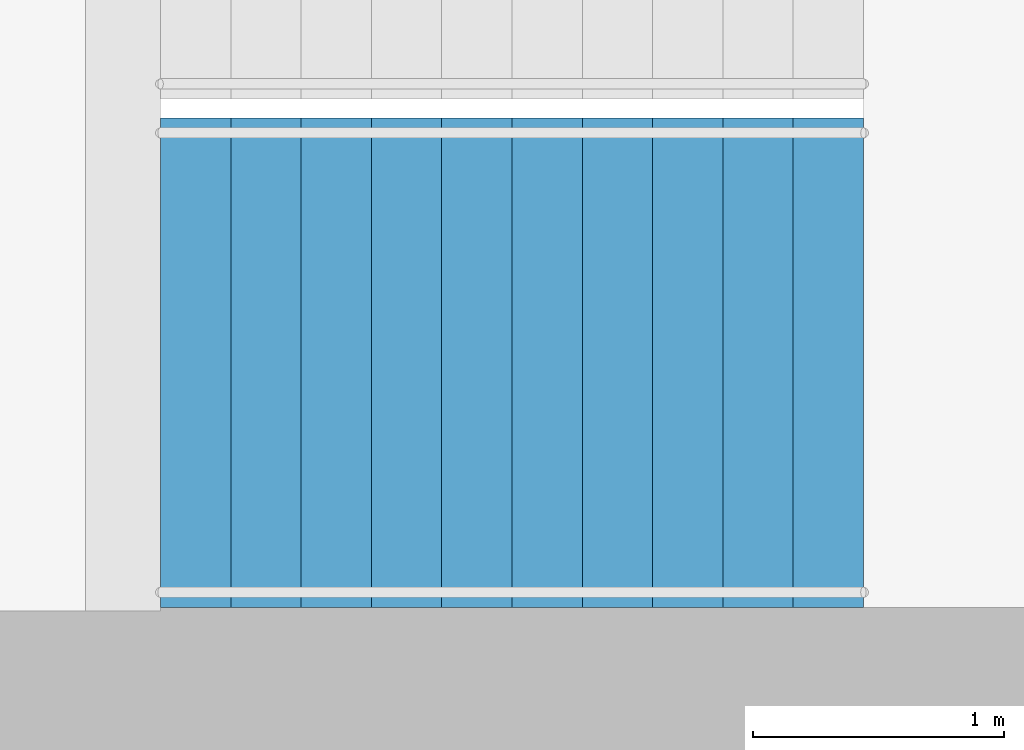
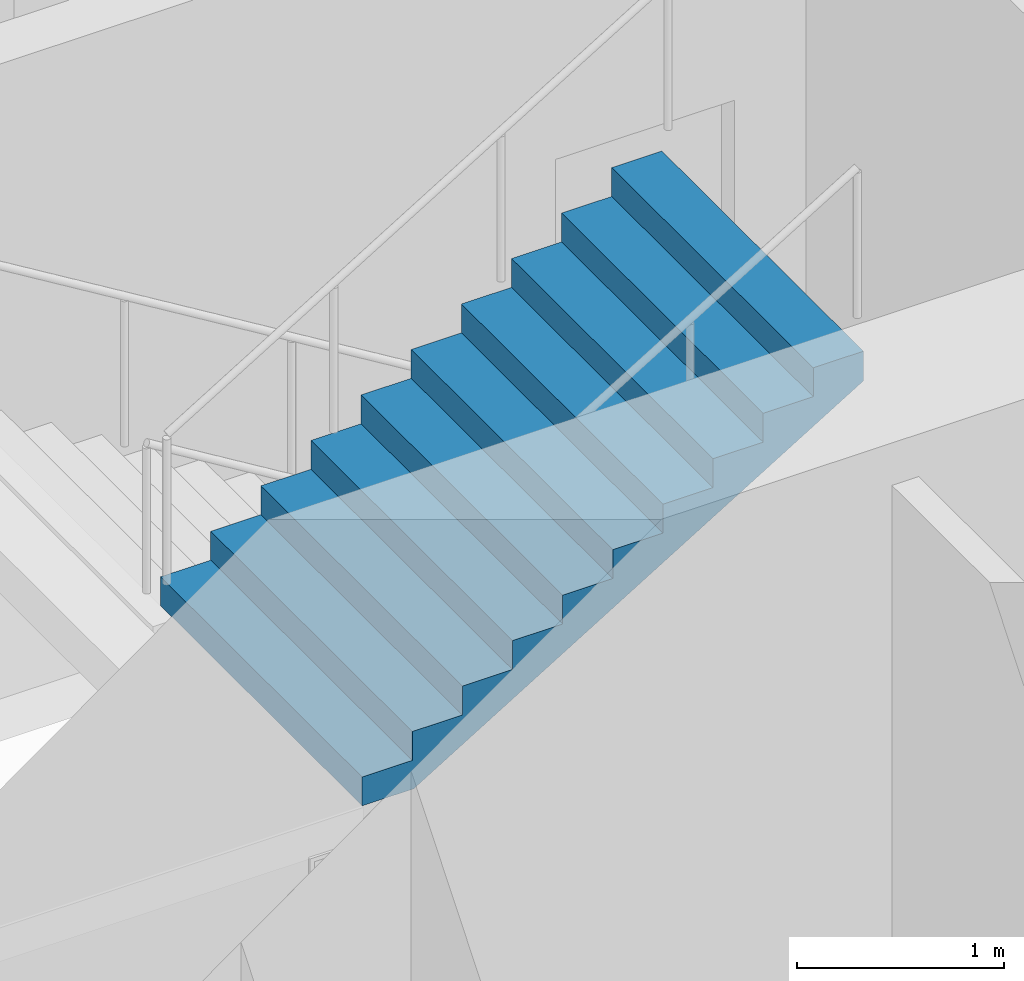
# One storey, part 19 of 21: 1 stair flight, 1 element without a shape of its own.
"""IFC4 building model written with IfcOpenShell, lengths in metres."""

from ifc_helpers import new_model, si_unit, direction, frame, origin, place, context, subcontext, project, spatial, triangles, material, type_object, element, aggregate, save


model = new_model("IFC4")

# Units and contexts
model_context = context("Model", 3, precision=1e-05, world=origin(), true_north=direction((0.0, 1.0)))
body_context = subcontext(model_context, "Body", "Model", "MODEL_VIEW")
ifc_project = project(units=[si_unit("LENGTHUNIT", "METRE"), si_unit("AREAUNIT", "SQUARE_METRE"), si_unit("VOLUMEUNIT", "CUBIC_METRE"), si_unit("PLANEANGLEUNIT", "RADIAN"), si_unit("MASSUNIT", "GRAM", prefix="KILO")], contexts=[model_context])

# Site, building, storey
site_placement = place(None, origin())
site = spatial("IfcSite", under=ifc_project, at=site_placement, CompositionType="ELEMENT")
building_placement = place(site_placement, origin())
building = spatial("IfcBuilding", under=site, at=building_placement, Name="Orbita Commons", CompositionType="ELEMENT")
storey_placement = place(building_placement, frame((0.0, 0.0, 91.89990234375)))
storey = spatial("IfcBuildingStorey", under=building, at=storey_placement, Name="L22", CompositionType="ELEMENT", Elevation=91.89990234375)

# Stair, stair flight
ifc_material_1 = material(Name="Precast concrete C40/50", Category="concrete")
stair_type = type_object("IfcStairType", Name="Exit stair S2 2 flights 11 risers 170", PredefinedType="HALF_TURN_STAIR", material=ifc_material_1)
stair_placement = place(storey_placement, origin())
stair = element("IfcStair", 1, at=stair_placement, inside=storey, type_object=stair_type, Name="Exit stair S2 L22", PredefinedType="HALF_TURN_STAIR")
ifc_material_2 = material(Name="Precast concrete C40/50", Category="concrete")
stair_flight_type = type_object("IfcStairFlightType", Name="Stair flight 11 risers 170 x 280", PredefinedType="STRAIGHT", material=ifc_material_2)
stair_flight_placement = place(storey_placement, frame((60.75, 27.25, 1.875), z_axis=(0.0, 0.0, 1.0), x_axis=(1.0, 0.0, 0.0)))
stair_flight = element("IfcStairFlight", 2, at=stair_flight_placement, type_object=stair_flight_type, Name="S2 flight 2", NumberOfRisers=11, NumberOfTreads=10, PredefinedType="STRAIGHT", RiserHeight=0.170454545, TreadLength=0.28, context=body_context, shape_type="Tessellation", body=[
    triangles([(0.0, 0.974976, 0.0), (0.0, 0.974976, 0.021307), (0.0, 0.81248, 0.021307), (0.0, 0.81248, 0.0), (0.0, 0.649984, 0.021307), (0.0, 0.649984, 0.0), (0.0, 0.487488, 0.021307), (0.0, 0.487488, 0.0), (0.0, 0.324992, 0.021307), (0.0, 0.324992, 0.0), (0.0, 0.162496, 0.021307), (0.0, 0.162496, 0.0), (0.0, 0.0, 0.021307), (0.0, 0.0, 0.0), (0.0, -0.162496, 0.021307), (0.0, -0.162496, 0.0), (0.0, -0.324992, 0.021307), (0.0, -0.324992, 0.0), (0.0, -0.487488, 0.021307), (0.0, -0.487488, 0.0), (0.0, -0.649984, 0.021307), (0.0, -0.649984, 0.0), (0.0, -0.81248, 0.021307), (0.0, -0.81248, 0.0), (0.0, -0.974976, 0.021307), (0.0, -0.974976, 0.0), (0.0, 0.974976, 0.042614), (0.0, 0.81248, 0.042614), (0.0, 0.649984, 0.042614), (0.0, 0.487488, 0.042614), (0.0, 0.324992, 0.042614), (0.0, 0.162496, 0.042614), (0.0, 0.0, 0.042614), (0.0, -0.162496, 0.042614), (0.0, -0.324992, 0.042614), (0.0, -0.487488, 0.042614), (0.0, -0.649984, 0.042614), (0.0, -0.81248, 0.042614), (0.0, -0.974976, 0.042614), (0.0, 0.974976, 0.06392), (0.0, 0.81248, 0.06392), (0.0, 0.649984, 0.06392), (0.0, 0.487488, 0.06392), (0.0, 0.324992, 0.06392), (0.0, 0.162496, 0.06392), (0.0, 0.0, 0.06392), (0.0, -0.162496, 0.06392), (0.0, -0.324992, 0.06392), (0.0, -0.487488, 0.06392), (0.0, -0.649984, 0.06392), (0.0, -0.81248, 0.06392), (0.0, -0.974976, 0.06392), (0.0, 0.974976, 0.085227), (0.0, 0.81248, 0.085227), (0.0, 0.649984, 0.085227), (0.0, 0.487488, 0.085227), (0.0, 0.324992, 0.085227), (0.0, 0.162496, 0.085227), (0.0, 0.0, 0.085227), (0.0, -0.162496, 0.085227), (0.0, -0.324992, 0.085227), (0.0, -0.487488, 0.085227), (0.0, -0.649984, 0.085227), (0.0, -0.81248, 0.085227), (0.0, -0.974976, 0.085227), (0.0, 0.974976, 0.106534), (0.0, 0.81248, 0.106534), (0.0, 0.649984, 0.106534), (0.0, 0.487488, 0.106534), (0.0, 0.324992, 0.106534), (0.0, 0.162496, 0.106534), (0.0, 0.0, 0.106534), (0.0, -0.162496, 0.106534), (0.0, -0.324992, 0.106534), (0.0, -0.487488, 0.106534), (0.0, -0.649984, 0.106534), (0.0, -0.81248, 0.106534), (0.0, -0.974976, 0.106534), (0.0, 0.974976, 0.127841), (0.0, 0.81248, 0.127841), (0.0, 0.649984, 0.127841), (0.0, 0.487488, 0.127841), (0.0, 0.324992, 0.127841), (0.0, 0.162496, 0.127841), (0.0, 0.0, 0.127841), (0.0, -0.162496, 0.127841), (0.0, -0.324992, 0.127841), (0.0, -0.487488, 0.127841), (0.0, -0.649984, 0.127841), (0.0, -0.81248, 0.127841), (0.0, -0.974976, 0.127841), (0.0, 0.974976, 0.149148), (0.0, 0.81248, 0.149148), (0.0, 0.649984, 0.149148), (0.0, 0.487488, 0.149148), (0.0, 0.324992, 0.149148), (0.0, 0.162496, 0.149148), (0.0, 0.0, 0.149148), (0.0, -0.162496, 0.149148), (0.0, -0.324992, 0.149148), (0.0, -0.487488, 0.149148), (0.0, -0.649984, 0.149148), (0.0, -0.81248, 0.149148), (0.0, -0.974976, 0.149148), (0.0, 0.974976, 0.170455), (0.0, 0.81248, 0.170455), (0.0, 0.649984, 0.170455), (0.0, 0.487488, 0.170455), (0.0, 0.324992, 0.170455), (0.0, 0.162496, 0.170455), (0.0, 0.0, 0.170455), (0.0, -0.162496, 0.170455), (0.0, -0.324992, 0.170455), (0.0, -0.487488, 0.170455), (0.0, -0.649984, 0.170455), (0.0, -0.81248, 0.170455), (0.0, -0.974976, 0.170455), (0.28, 0.974976, 0.170455), (0.28, 0.81248, 0.170455), (0.28, 0.649984, 0.170455), (0.28, 0.487488, 0.170455), (0.28, 0.324992, 0.170455), (0.28, 0.162496, 0.170455), (0.28, 0.0, 0.170455), (0.28, -0.162496, 0.170455), (0.28, -0.324992, 0.170455), (0.28, -0.487488, 0.170455), (0.28, -0.649984, 0.170455), (0.28, -0.81248, 0.170455), (0.28, -0.974976, 0.170455), (0.28, 0.974976, 0.340909), (0.28, 0.81248, 0.340909), (0.28, 0.649984, 0.340909), (0.28, 0.487488, 0.340909), (0.28, 0.324992, 0.340909), (0.28, 0.162496, 0.340909), (0.28, 0.0, 0.340909), (0.28, -0.162496, 0.340909), (0.28, -0.324992, 0.340909), (0.28, -0.487488, 0.340909), (0.28, -0.649984, 0.340909), (0.28, -0.81248, 0.340909), (0.28, -0.974976, 0.340909), (0.56, 0.974976, 0.340909), (0.56, 0.81248, 0.340909), (0.56, 0.649984, 0.340909), (0.56, 0.487488, 0.340909), (0.56, 0.324992, 0.340909), (0.56, 0.162496, 0.340909), (0.56, 0.0, 0.340909), (0.56, -0.162496, 0.340909), (0.56, -0.324992, 0.340909), (0.56, -0.487488, 0.340909), (0.56, -0.649984, 0.340909), (0.56, -0.81248, 0.340909), (0.56, -0.974976, 0.340909), (0.56, 0.974976, 0.511364), (0.56, 0.81248, 0.511364), (0.56, 0.649984, 0.511364), (0.56, 0.487488, 0.511364), (0.56, 0.324992, 0.511364), (0.56, 0.162496, 0.511364), (0.56, 0.0, 0.511364), (0.56, -0.162496, 0.511364), (0.56, -0.324992, 0.511364), (0.56, -0.487488, 0.511364), (0.56, -0.649984, 0.511364), (0.56, -0.81248, 0.511364), (0.56, -0.974976, 0.511364), (0.84, 0.974976, 0.511364), (0.84, 0.81248, 0.511364), (0.84, 0.649984, 0.511364), (0.84, 0.487488, 0.511364), (0.84, 0.324992, 0.511364), (0.84, 0.162496, 0.511364), (0.84, 0.0, 0.511364), (0.84, -0.162496, 0.511364), (0.84, -0.324992, 0.511364), (0.84, -0.487488, 0.511364), (0.84, -0.649984, 0.511364), (0.84, -0.81248, 0.511364), (0.84, -0.974976, 0.511364), (0.84, 0.974976, 0.681818), (0.84, 0.81248, 0.681818), (0.84, 0.649984, 0.681818), (0.84, 0.487488, 0.681818), (0.84, 0.324992, 0.681818), (0.84, 0.162496, 0.681818), (0.84, 0.0, 0.681818), (0.84, -0.162496, 0.681818), (0.84, -0.324992, 0.681818), (0.84, -0.487488, 0.681818), (0.84, -0.649984, 0.681818), (0.84, -0.81248, 0.681818), (0.84, -0.974976, 0.681818), (1.12, 0.974976, 0.681818), (1.12, 0.81248, 0.681818), (1.12, 0.649984, 0.681818), (1.12, 0.487488, 0.681818), (1.12, 0.324992, 0.681818), (1.12, 0.162496, 0.681818), (1.12, 0.0, 0.681818), (1.12, -0.162496, 0.681818), (1.12, -0.324992, 0.681818), (1.12, -0.487488, 0.681818), (1.12, -0.649984, 0.681818), (1.12, -0.81248, 0.681818), (1.12, -0.974976, 0.681818), (1.12, 0.974976, 0.852273), (1.12, 0.81248, 0.852273), (1.12, 0.649984, 0.852273), (1.12, 0.487488, 0.852273), (1.12, 0.324992, 0.852273), (1.12, 0.162496, 0.852273), (1.12, 0.0, 0.852273), (1.12, -0.162496, 0.852273), (1.12, -0.324992, 0.852273), (1.12, -0.487488, 0.852273), (1.12, -0.649984, 0.852273), (1.12, -0.81248, 0.852273), (1.12, -0.974976, 0.852273), (1.4, 0.974976, 0.852273), (1.4, 0.81248, 0.852273), (1.4, 0.649984, 0.852273), (1.4, 0.487488, 0.852273), (1.4, 0.324992, 0.852273), (1.4, 0.162496, 0.852273), (1.4, 0.0, 0.852273), (1.4, -0.162496, 0.852273), (1.4, -0.324992, 0.852273), (1.4, -0.487488, 0.852273), (1.4, -0.649984, 0.852273), (1.4, -0.81248, 0.852273), (1.4, -0.974976, 0.852273), (1.4, 0.974976, 1.022727), (1.4, 0.81248, 1.022727), (1.4, 0.649984, 1.022727), (1.4, 0.487488, 1.022727), (1.4, 0.324992, 1.022727), (1.4, 0.162496, 1.022727), (1.4, 0.0, 1.022727), (1.4, -0.162496, 1.022727), (1.4, -0.324992, 1.022727), (1.4, -0.487488, 1.022727), (1.4, -0.649984, 1.022727), (1.4, -0.81248, 1.022727), (1.4, -0.974976, 1.022727), (1.68, 0.974976, 1.022727), (1.68, 0.81248, 1.022727), (1.68, 0.649984, 1.022727), (1.68, 0.487488, 1.022727), (1.68, 0.324992, 1.022727), (1.68, 0.162496, 1.022727), (1.68, 0.0, 1.022727), (1.68, -0.162496, 1.022727), (1.68, -0.324992, 1.022727), (1.68, -0.487488, 1.022727), (1.68, -0.649984, 1.022727), (1.68, -0.81248, 1.022727), (1.68, -0.974976, 1.022727), (1.68, 0.974976, 1.193182), (1.68, 0.81248, 1.193182), (1.68, 0.649984, 1.193182), (1.68, 0.487488, 1.193182), (1.68, 0.324992, 1.193182), (1.68, 0.162496, 1.193182), (1.68, 0.0, 1.193182), (1.68, -0.162496, 1.193182), (1.68, -0.324992, 1.193182), (1.68, -0.487488, 1.193182), (1.68, -0.649984, 1.193182), (1.68, -0.81248, 1.193182), (1.68, -0.974976, 1.193182), (1.96, 0.974976, 1.193182), (1.96, 0.81248, 1.193182), (1.96, 0.649984, 1.193182), (1.96, 0.487488, 1.193182), (1.96, 0.324992, 1.193182), (1.96, 0.162496, 1.193182), (1.96, 0.0, 1.193182), (1.96, -0.162496, 1.193182), (1.96, -0.324992, 1.193182), (1.96, -0.487488, 1.193182), (1.96, -0.649984, 1.193182), (1.96, -0.81248, 1.193182), (1.96, -0.974976, 1.193182), (1.96, 0.974976, 1.363636), (1.96, 0.81248, 1.363636), (1.96, 0.649984, 1.363636), (1.96, 0.487488, 1.363636), (1.96, 0.324992, 1.363636), (1.96, 0.162496, 1.363636), (1.96, 0.0, 1.363636), (1.96, -0.162496, 1.363636), (1.96, -0.324992, 1.363636), (1.96, -0.487488, 1.363636), (1.96, -0.649984, 1.363636), (1.96, -0.81248, 1.363636), (1.96, -0.974976, 1.363636), (2.24, 0.974976, 1.363636), (2.24, 0.81248, 1.363636), (2.24, 0.649984, 1.363636), (2.24, 0.487488, 1.363636), (2.24, 0.324992, 1.363636), (2.24, 0.162496, 1.363636), (2.24, 0.0, 1.363636), (2.24, -0.162496, 1.363636), (2.24, -0.324992, 1.363636), (2.24, -0.487488, 1.363636), (2.24, -0.649984, 1.363636), (2.24, -0.81248, 1.363636), (2.24, -0.974976, 1.363636), (2.24, 0.974976, 1.534091), (2.24, 0.81248, 1.534091), (2.24, 0.649984, 1.534091), (2.24, 0.487488, 1.534091), (2.24, 0.324992, 1.534091), (2.24, 0.162496, 1.534091), (2.24, 0.0, 1.534091), (2.24, -0.162496, 1.534091), (2.24, -0.324992, 1.534091), (2.24, -0.487488, 1.534091), (2.24, -0.649984, 1.534091), (2.24, -0.81248, 1.534091), (2.24, -0.974976, 1.534091), (2.52, 0.974976, 1.534091), (2.52, 0.81248, 1.534091), (2.52, 0.649984, 1.534091), (2.52, 0.487488, 1.534091), (2.52, 0.324992, 1.534091), (2.52, 0.162496, 1.534091), (2.52, 0.0, 1.534091), (2.52, -0.162496, 1.534091), (2.52, -0.324992, 1.534091), (2.52, -0.487488, 1.534091), (2.52, -0.649984, 1.534091), (2.52, -0.81248, 1.534091), (2.52, -0.974976, 1.534091), (2.52, 0.974976, 1.704545), (2.52, 0.81248, 1.704545), (2.52, 0.649984, 1.704545), (2.52, 0.487488, 1.704545), (2.52, 0.324992, 1.704545), (2.52, 0.162496, 1.704545), (2.52, 0.0, 1.704545), (2.52, -0.162496, 1.704545), (2.52, -0.324992, 1.704545), (2.52, -0.487488, 1.704545), (2.52, -0.649984, 1.704545), (2.52, -0.81248, 1.704545), (2.52, -0.974976, 1.704545), (2.8, 0.974976, 1.704545), (2.8, 0.81248, 1.704545), (2.8, 0.649984, 1.704545), (2.8, 0.487488, 1.704545), (2.8, 0.324992, 1.704545), (2.8, 0.162496, 1.704545), (2.8, 0.0, 1.704545), (2.8, -0.162496, 1.704545), (2.8, -0.324992, 1.704545), (2.8, -0.487488, 1.704545), (2.8, -0.649984, 1.704545), (2.8, -0.81248, 1.704545), (2.8, -0.974976, 1.704545), (2.8, 0.974976, 1.682609), (2.8, 0.81248, 1.682609), (2.8, 0.649984, 1.682609), (2.8, 0.487488, 1.682609), (2.8, 0.324992, 1.682609), (2.8, 0.162496, 1.682609), (2.8, 0.0, 1.682609), (2.8, -0.162496, 1.682609), (2.8, -0.324992, 1.682609), (2.8, -0.487488, 1.682609), (2.8, -0.649984, 1.682609), (2.8, -0.81248, 1.682609), (2.8, -0.974976, 1.682609), (2.8, 0.974976, 1.660672), (2.8, 0.81248, 1.660672), (2.8, 0.649984, 1.660672), (2.8, 0.487488, 1.660672), (2.8, 0.324992, 1.660672), (2.8, 0.162496, 1.660672), (2.8, 0.0, 1.660672), (2.8, -0.162496, 1.660672), (2.8, -0.324992, 1.660672), (2.8, -0.487488, 1.660672), (2.8, -0.649984, 1.660672), (2.8, -0.81248, 1.660672), (2.8, -0.974976, 1.660672), (2.8, 0.974976, 1.638735), (2.8, 0.81248, 1.638735), (2.8, 0.649984, 1.638735), (2.8, 0.487488, 1.638735), (2.8, 0.324992, 1.638735), (2.8, 0.162496, 1.638735), (2.8, 0.0, 1.638735), (2.8, -0.162496, 1.638735), (2.8, -0.324992, 1.638735), (2.8, -0.487488, 1.638735), (2.8, -0.649984, 1.638735), (2.8, -0.81248, 1.638735), (2.8, -0.974976, 1.638735), (2.8, 0.974976, 1.616798), (2.8, 0.81248, 1.616798), (2.8, 0.649984, 1.616798), (2.8, 0.487488, 1.616798), (2.8, 0.324992, 1.616798), (2.8, 0.162496, 1.616798), (2.8, 0.0, 1.616798), (2.8, -0.162496, 1.616798), (2.8, -0.324992, 1.616798), (2.8, -0.487488, 1.616798), (2.8, -0.649984, 1.616798), (2.8, -0.81248, 1.616798), (2.8, -0.974976, 1.616798), (2.8, 0.974976, 1.594861), (2.8, 0.81248, 1.594861), (2.8, 0.649984, 1.594861), (2.8, 0.487488, 1.594861), (2.8, 0.324992, 1.594861), (2.8, 0.162496, 1.594861), (2.8, 0.0, 1.594861), (2.8, -0.162496, 1.594861), (2.8, -0.324992, 1.594861), (2.8, -0.487488, 1.594861), (2.8, -0.649984, 1.594861), (2.8, -0.81248, 1.594861), (2.8, -0.974976, 1.594861), (2.8, 0.974976, 1.572925), (2.8, 0.81248, 1.572925), (2.8, 0.649984, 1.572925), (2.8, 0.487488, 1.572925), (2.8, 0.324992, 1.572925), (2.8, 0.162496, 1.572925), (2.8, 0.0, 1.572925), (2.8, -0.162496, 1.572925), (2.8, -0.324992, 1.572925), (2.8, -0.487488, 1.572925), (2.8, -0.649984, 1.572925), (2.8, -0.81248, 1.572925), (2.8, -0.974976, 1.572925), (2.8, 0.974976, 1.550988), (2.8, 0.81248, 1.550988), (2.8, 0.649984, 1.550988), (2.8, 0.487488, 1.550988), (2.8, 0.324992, 1.550988), (2.8, 0.162496, 1.550988), (2.8, 0.0, 1.550988), (2.8, -0.162496, 1.550988), (2.8, -0.324992, 1.550988), (2.8, -0.487488, 1.550988), (2.8, -0.649984, 1.550988), (2.8, -0.81248, 1.550988), (2.8, -0.974976, 1.550988), (2.8, 0.974976, 1.529051), (2.8, 0.81248, 1.529051), (2.8, 0.649984, 1.529051), (2.8, 0.487488, 1.529051), (2.8, 0.324992, 1.529051), (2.8, 0.162496, 1.529051), (2.8, 0.0, 1.529051), (2.8, -0.162496, 1.529051), (2.8, -0.324992, 1.529051), (2.8, -0.487488, 1.529051), (2.8, -0.649984, 1.529051), (2.8, -0.81248, 1.529051), (2.8, -0.974976, 1.529051), (0.288279, 0.974976, 0.0), (0.288279, 0.81248, 0.0), (0.288279, 0.649984, 0.0), (0.288279, 0.487488, 0.0), (0.288279, 0.324992, 0.0), (0.288279, 0.162496, 0.0), (0.288279, 0.0, 0.0), (0.288279, -0.162496, 0.0), (0.288279, -0.324992, 0.0), (0.288279, -0.487488, 0.0), (0.288279, -0.649984, 0.0), (0.288279, -0.81248, 0.0), (0.288279, -0.974976, 0.0)], [[3, 2, 1], [4, 3, 1], [5, 3, 4], [6, 5, 4], [7, 5, 6], [8, 7, 6], [9, 7, 8], [10, 9, 8], [11, 9, 10], [12, 11, 10], [13, 11, 12], [14, 13, 12], [15, 13, 14], [16, 15, 14], [17, 15, 16], [18, 17, 16], [19, 17, 18], [20, 19, 18], [21, 19, 20], [22, 21, 20], [23, 21, 22], [24, 23, 22], [25, 23, 24], [26, 25, 24], [28, 27, 2], [3, 28, 2], [29, 28, 3], [5, 29, 3], [30, 29, 5], [7, 30, 5], [31, 30, 7], [9, 31, 7], [32, 31, 9], [11, 32, 9], [33, 32, 11], [13, 33, 11], [34, 33, 13], [15, 34, 13], [35, 34, 15], [17, 35, 15], [36, 35, 17], [19, 36, 17], [37, 36, 19], [21, 37, 19], [38, 37, 21], [23, 38, 21], [39, 38, 23], [25, 39, 23], [41, 40, 27], [28, 41, 27], [42, 41, 28], [29, 42, 28], [43, 42, 29], [30, 43, 29], [44, 43, 30], [31, 44, 30], [45, 44, 31], [32, 45, 31], [46, 45, 32], [33, 46, 32], [47, 46, 33], [34, 47, 33], [48, 47, 34], [35, 48, 34], [49, 48, 35], [36, 49, 35], [50, 49, 36], [37, 50, 36], [51, 50, 37], [38, 51, 37], [52, 51, 38], [39, 52, 38], [54, 53, 40], [41, 54, 40], [55, 54, 41], [42, 55, 41], [56, 55, 42], [43, 56, 42], [57, 56, 43], [44, 57, 43], [58, 57, 44], [45, 58, 44], [59, 58, 45], [46, 59, 45], [60, 59, 46], [47, 60, 46], [61, 60, 47], [48, 61, 47], [62, 61, 48], [49, 62, 48], [63, 62, 49], [50, 63, 49], [64, 63, 50], [51, 64, 50], [65, 64, 51], [52, 65, 51], [67, 66, 53], [54, 67, 53], [68, 67, 54], [55, 68, 54], [69, 68, 55], [56, 69, 55], [70, 69, 56], [57, 70, 56], [71, 70, 57], [58, 71, 57], [72, 71, 58], [59, 72, 58], [73, 72, 59], [60, 73, 59], [74, 73, 60], [61, 74, 60], [75, 74, 61], [62, 75, 61], [76, 75, 62], [63, 76, 62], [77, 76, 63], [64, 77, 63], [78, 77, 64], [65, 78, 64], [80, 79, 66], [67, 80, 66], [81, 80, 67], [68, 81, 67], [82, 81, 68], [69, 82, 68], [83, 82, 69], [70, 83, 69], [84, 83, 70], [71, 84, 70], [85, 84, 71], [72, 85, 71], [86, 85, 72], [73, 86, 72], [87, 86, 73], [74, 87, 73], [88, 87, 74], [75, 88, 74], [89, 88, 75], [76, 89, 75], [90, 89, 76], [77, 90, 76], [91, 90, 77], [78, 91, 77], [93, 92, 79], [80, 93, 79], [94, 93, 80], [81, 94, 80], [95, 94, 81], [82, 95, 81], [96, 95, 82], [83, 96, 82], [97, 96, 83], [84, 97, 83], [98, 97, 84], [85, 98, 84], [99, 98, 85], [86, 99, 85], [100, 99, 86], [87, 100, 86], [101, 100, 87], [88, 101, 87], [102, 101, 88], [89, 102, 88], [103, 102, 89], [90, 103, 89], [104, 103, 90], [91, 104, 90], [106, 105, 92], [93, 106, 92], [107, 106, 93], [94, 107, 93], [108, 107, 94], [95, 108, 94], [109, 108, 95], [96, 109, 95], [110, 109, 96], [97, 110, 96], [111, 110, 97], [98, 111, 97], [112, 111, 98], [99, 112, 98], [113, 112, 99], [100, 113, 99], [114, 113, 100], [101, 114, 100], [115, 114, 101], [102, 115, 101], [116, 115, 102], [103, 116, 102], [117, 116, 103], [104, 117, 103], [119, 118, 105], [106, 119, 105], [120, 119, 106], [107, 120, 106], [121, 120, 107], [108, 121, 107], [122, 121, 108], [109, 122, 108], [123, 122, 109], [110, 123, 109], [124, 123, 110], [111, 124, 110], [125, 124, 111], [112, 125, 111], [126, 125, 112], [113, 126, 112], [127, 126, 113], [114, 127, 113], [128, 127, 114], [115, 128, 114], [129, 128, 115], [116, 129, 115], [130, 129, 116], [117, 130, 116], [132, 131, 118], [119, 132, 118], [133, 132, 119], [120, 133, 119], [134, 133, 120], [121, 134, 120], [135, 134, 121], [122, 135, 121], [136, 135, 122], [123, 136, 122], [137, 136, 123], [124, 137, 123], [138, 137, 124], [125, 138, 124], [139, 138, 125], [126, 139, 125], [140, 139, 126], [127, 140, 126], [141, 140, 127], [128, 141, 127], [142, 141, 128], [129, 142, 128], [143, 142, 129], [130, 143, 129], [145, 144, 131], [132, 145, 131], [146, 145, 132], [133, 146, 132], [147, 146, 133], [134, 147, 133], [148, 147, 134], [135, 148, 134], [149, 148, 135], [136, 149, 135], [150, 149, 136], [137, 150, 136], [151, 150, 137], [138, 151, 137], [152, 151, 138], [139, 152, 138], [153, 152, 139], [140, 153, 139], [154, 153, 140], [141, 154, 140], [155, 154, 141], [142, 155, 141], [156, 155, 142], [143, 156, 142], [158, 157, 144], [145, 158, 144], [159, 158, 145], [146, 159, 145], [160, 159, 146], [147, 160, 146], [161, 160, 147], [148, 161, 147], [162, 161, 148], [149, 162, 148], [163, 162, 149], [150, 163, 149], [164, 163, 150], [151, 164, 150], [165, 164, 151], [152, 165, 151], [166, 165, 152], [153, 166, 152], [167, 166, 153], [154, 167, 153], [168, 167, 154], [155, 168, 154], [169, 168, 155], [156, 169, 155], [171, 170, 157], [158, 171, 157], [172, 171, 158], [159, 172, 158], [173, 172, 159], [160, 173, 159], [174, 173, 160], [161, 174, 160], [175, 174, 161], [162, 175, 161], [176, 175, 162], [163, 176, 162], [177, 176, 163], [164, 177, 163], [178, 177, 164], [165, 178, 164], [179, 178, 165], [166, 179, 165], [180, 179, 166], [167, 180, 166], [181, 180, 167], [168, 181, 167], [182, 181, 168], [169, 182, 168], [184, 183, 170], [171, 184, 170], [185, 184, 171], [172, 185, 171], [186, 185, 172], [173, 186, 172], [187, 186, 173], [174, 187, 173], [188, 187, 174], [175, 188, 174], [189, 188, 175], [176, 189, 175], [190, 189, 176], [177, 190, 176], [191, 190, 177], [178, 191, 177], [192, 191, 178], [179, 192, 178], [193, 192, 179], [180, 193, 179], [194, 193, 180], [181, 194, 180], [195, 194, 181], [182, 195, 181], [197, 196, 183], [184, 197, 183], [198, 197, 184], [185, 198, 184], [199, 198, 185], [186, 199, 185], [200, 199, 186], [187, 200, 186], [201, 200, 187], [188, 201, 187], [202, 201, 188], [189, 202, 188], [203, 202, 189], [190, 203, 189], [204, 203, 190], [191, 204, 190], [205, 204, 191], [192, 205, 191], [206, 205, 192], [193, 206, 192], [207, 206, 193], [194, 207, 193], [208, 207, 194], [195, 208, 194], [210, 209, 196], [197, 210, 196], [211, 210, 197], [198, 211, 197], [212, 211, 198], [199, 212, 198], [213, 212, 199], [200, 213, 199], [214, 213, 200], [201, 214, 200], [215, 214, 201], [202, 215, 201], [216, 215, 202], [203, 216, 202], [217, 216, 203], [204, 217, 203], [218, 217, 204], [205, 218, 204], [219, 218, 205], [206, 219, 205], [220, 219, 206], [207, 220, 206], [221, 220, 207], [208, 221, 207], [223, 222, 209], [210, 223, 209], [224, 223, 210], [211, 224, 210], [225, 224, 211], [212, 225, 211], [226, 225, 212], [213, 226, 212], [227, 226, 213], [214, 227, 213], [228, 227, 214], [215, 228, 214], [229, 228, 215], [216, 229, 215], [230, 229, 216], [217, 230, 216], [231, 230, 217], [218, 231, 217], [232, 231, 218], [219, 232, 218], [233, 232, 219], [220, 233, 219], [234, 233, 220], [221, 234, 220], [236, 235, 222], [223, 236, 222], [237, 236, 223], [224, 237, 223], [238, 237, 224], [225, 238, 224], [239, 238, 225], [226, 239, 225], [240, 239, 226], [227, 240, 226], [241, 240, 227], [228, 241, 227], [242, 241, 228], [229, 242, 228], [243, 242, 229], [230, 243, 229], [244, 243, 230], [231, 244, 230], [245, 244, 231], [232, 245, 231], [246, 245, 232], [233, 246, 232], [247, 246, 233], [234, 247, 233], [249, 248, 235], [236, 249, 235], [250, 249, 236], [237, 250, 236], [251, 250, 237], [238, 251, 237], [252, 251, 238], [239, 252, 238], [253, 252, 239], [240, 253, 239], [254, 253, 240], [241, 254, 240], [255, 254, 241], [242, 255, 241], [256, 255, 242], [243, 256, 242], [257, 256, 243], [244, 257, 243], [258, 257, 244], [245, 258, 244], [259, 258, 245], [246, 259, 245], [260, 259, 246], [247, 260, 246], [262, 261, 248], [249, 262, 248], [263, 262, 249], [250, 263, 249], [264, 263, 250], [251, 264, 250], [265, 264, 251], [252, 265, 251], [266, 265, 252], [253, 266, 252], [267, 266, 253], [254, 267, 253], [268, 267, 254], [255, 268, 254], [269, 268, 255], [256, 269, 255], [270, 269, 256], [257, 270, 256], [271, 270, 257], [258, 271, 257], [272, 271, 258], [259, 272, 258], [273, 272, 259], [260, 273, 259], [275, 274, 261], [262, 275, 261], [276, 275, 262], [263, 276, 262], [277, 276, 263], [264, 277, 263], [278, 277, 264], [265, 278, 264], [279, 278, 265], [266, 279, 265], [280, 279, 266], [267, 280, 266], [281, 280, 267], [268, 281, 267], [282, 281, 268], [269, 282, 268], [283, 282, 269], [270, 283, 269], [284, 283, 270], [271, 284, 270], [285, 284, 271], [272, 285, 271], [286, 285, 272], [273, 286, 272], [288, 287, 274], [275, 288, 274], [289, 288, 275], [276, 289, 275], [290, 289, 276], [277, 290, 276], [291, 290, 277], [278, 291, 277], [292, 291, 278], [279, 292, 278], [293, 292, 279], [280, 293, 279], [294, 293, 280], [281, 294, 280], [295, 294, 281], [282, 295, 281], [296, 295, 282], [283, 296, 282], [297, 296, 283], [284, 297, 283], [298, 297, 284], [285, 298, 284], [299, 298, 285], [286, 299, 285], [301, 300, 287], [288, 301, 287], [302, 301, 288], [289, 302, 288], [303, 302, 289], [290, 303, 289], [304, 303, 290], [291, 304, 290], [305, 304, 291], [292, 305, 291], [306, 305, 292], [293, 306, 292], [307, 306, 293], [294, 307, 293], [308, 307, 294], [295, 308, 294], [309, 308, 295], [296, 309, 295], [310, 309, 296], [297, 310, 296], [311, 310, 297], [298, 311, 297], [312, 311, 298], [299, 312, 298], [314, 313, 300], [301, 314, 300], [315, 314, 301], [302, 315, 301], [316, 315, 302], [303, 316, 302], [317, 316, 303], [304, 317, 303], [318, 317, 304], [305, 318, 304], [319, 318, 305], [306, 319, 305], [320, 319, 306], [307, 320, 306], [321, 320, 307], [308, 321, 307], [322, 321, 308], [309, 322, 308], [323, 322, 309], [310, 323, 309], [324, 323, 310], [311, 324, 310], [325, 324, 311], [312, 325, 311], [327, 326, 313], [314, 327, 313], [328, 327, 314], [315, 328, 314], [329, 328, 315], [316, 329, 315], [330, 329, 316], [317, 330, 316], [331, 330, 317], [318, 331, 317], [332, 331, 318], [319, 332, 318], [333, 332, 319], [320, 333, 319], [334, 333, 320], [321, 334, 320], [335, 334, 321], [322, 335, 321], [336, 335, 322], [323, 336, 322], [337, 336, 323], [324, 337, 323], [338, 337, 324], [325, 338, 324], [340, 339, 326], [327, 340, 326], [341, 340, 327], [328, 341, 327], [342, 341, 328], [329, 342, 328], [343, 342, 329], [330, 343, 329], [344, 343, 330], [331, 344, 330], [345, 344, 331], [332, 345, 331], [346, 345, 332], [333, 346, 332], [347, 346, 333], [334, 347, 333], [348, 347, 334], [335, 348, 334], [349, 348, 335], [336, 349, 335], [350, 349, 336], [337, 350, 336], [351, 350, 337], [338, 351, 337], [353, 352, 339], [340, 353, 339], [354, 353, 340], [341, 354, 340], [355, 354, 341], [342, 355, 341], [356, 355, 342], [343, 356, 342], [357, 356, 343], [344, 357, 343], [358, 357, 344], [345, 358, 344], [359, 358, 345], [346, 359, 345], [360, 359, 346], [347, 360, 346], [361, 360, 347], [348, 361, 347], [362, 361, 348], [349, 362, 348], [363, 362, 349], [350, 363, 349], [364, 363, 350], [351, 364, 350], [366, 365, 352], [353, 366, 352], [367, 366, 353], [354, 367, 353], [368, 367, 354], [355, 368, 354], [369, 368, 355], [356, 369, 355], [370, 369, 356], [357, 370, 356], [371, 370, 357], [358, 371, 357], [372, 371, 358], [359, 372, 358], [373, 372, 359], [360, 373, 359], [374, 373, 360], [361, 374, 360], [375, 374, 361], [362, 375, 361], [376, 375, 362], [363, 376, 362], [377, 376, 363], [364, 377, 363], [379, 378, 365], [366, 379, 365], [380, 379, 366], [367, 380, 366], [381, 380, 367], [368, 381, 367], [382, 381, 368], [369, 382, 368], [383, 382, 369], [370, 383, 369], [384, 383, 370], [371, 384, 370], [385, 384, 371], [372, 385, 371], [386, 385, 372], [373, 386, 372], [387, 386, 373], [374, 387, 373], [388, 387, 374], [375, 388, 374], [389, 388, 375], [376, 389, 375], [390, 389, 376], [377, 390, 376], [392, 391, 378], [379, 392, 378], [393, 392, 379], [380, 393, 379], [394, 393, 380], [381, 394, 380], [395, 394, 381], [382, 395, 381], [396, 395, 382], [383, 396, 382], [397, 396, 383], [384, 397, 383], [398, 397, 384], [385, 398, 384], [399, 398, 385], [386, 399, 385], [400, 399, 386], [387, 400, 386], [401, 400, 387], [388, 401, 387], [402, 401, 388], [389, 402, 388], [403, 402, 389], [390, 403, 389], [405, 404, 391], [392, 405, 391], [406, 405, 392], [393, 406, 392], [407, 406, 393], [394, 407, 393], [408, 407, 394], [395, 408, 394], [409, 408, 395], [396, 409, 395], [410, 409, 396], [397, 410, 396], [411, 410, 397], [398, 411, 397], [412, 411, 398], [399, 412, 398], [413, 412, 399], [400, 413, 399], [414, 413, 400], [401, 414, 400], [415, 414, 401], [402, 415, 401], [416, 415, 402], [403, 416, 402], [418, 417, 404], [405, 418, 404], [419, 418, 405], [406, 419, 405], [420, 419, 406], [407, 420, 406], [421, 420, 407], [408, 421, 407], [422, 421, 408], [409, 422, 408], [423, 422, 409], [410, 423, 409], [424, 423, 410], [411, 424, 410], [425, 424, 411], [412, 425, 411], [426, 425, 412], [413, 426, 412], [427, 426, 413], [414, 427, 413], [428, 427, 414], [415, 428, 414], [429, 428, 415], [416, 429, 415], [431, 430, 417], [418, 431, 417], [432, 431, 418], [419, 432, 418], [433, 432, 419], [420, 433, 419], [434, 433, 420], [421, 434, 420], [435, 434, 421], [422, 435, 421], [436, 435, 422], [423, 436, 422], [437, 436, 423], [424, 437, 423], [438, 437, 424], [425, 438, 424], [439, 438, 425], [426, 439, 425], [440, 439, 426], [427, 440, 426], [441, 440, 427], [428, 441, 427], [442, 441, 428], [429, 442, 428], [444, 443, 430], [431, 444, 430], [445, 444, 431], [432, 445, 431], [446, 445, 432], [433, 446, 432], [447, 446, 433], [434, 447, 433], [448, 447, 434], [435, 448, 434], [449, 448, 435], [436, 449, 435], [450, 449, 436], [437, 450, 436], [451, 450, 437], [438, 451, 437], [452, 451, 438], [439, 452, 438], [453, 452, 439], [440, 453, 439], [454, 453, 440], [441, 454, 440], [455, 454, 441], [442, 455, 441], [457, 456, 443], [444, 457, 443], [458, 457, 444], [445, 458, 444], [459, 458, 445], [446, 459, 445], [460, 459, 446], [447, 460, 446], [461, 460, 447], [448, 461, 447], [462, 461, 448], [449, 462, 448], [463, 462, 449], [450, 463, 449], [464, 463, 450], [451, 464, 450], [465, 464, 451], [452, 465, 451], [466, 465, 452], [453, 466, 452], [467, 466, 453], [454, 467, 453], [468, 467, 454], [455, 468, 454], [470, 469, 456], [457, 470, 456], [471, 470, 457], [458, 471, 457], [472, 471, 458], [459, 472, 458], [473, 472, 459], [460, 473, 459], [474, 473, 460], [461, 474, 460], [475, 474, 461], [462, 475, 461], [476, 475, 462], [463, 476, 462], [477, 476, 463], [464, 477, 463], [478, 477, 464], [465, 478, 464], [479, 478, 465], [466, 479, 465], [480, 479, 466], [467, 480, 466], [481, 480, 467], [468, 481, 467], [4, 1, 469], [470, 4, 469], [6, 4, 470], [471, 6, 470], [8, 6, 471], [472, 8, 471], [10, 8, 472], [473, 10, 472], [12, 10, 473], [474, 12, 473], [14, 12, 474], [475, 14, 474], [16, 14, 475], [476, 16, 475], [18, 16, 476], [477, 18, 476], [20, 18, 477], [478, 20, 477], [22, 20, 478], [479, 22, 478], [24, 22, 479], [480, 24, 479], [26, 24, 480], [481, 26, 480], [456, 469, 1], [26, 481, 468], [443, 456, 1], [26, 468, 455], [430, 443, 1], [26, 455, 442], [417, 430, 1], [26, 442, 429], [404, 417, 1], [26, 429, 416], [391, 404, 1], [26, 416, 403], [378, 391, 1], [26, 403, 390], [365, 378, 1], [26, 390, 377], [339, 352, 365], [377, 364, 351], [326, 339, 365], [377, 351, 338], [300, 313, 326], [338, 325, 312], [300, 326, 365], [377, 338, 312], [274, 287, 300], [312, 299, 286], [274, 300, 365], [377, 312, 286], [248, 261, 274], [286, 273, 260], [248, 274, 365], [377, 286, 260], [222, 235, 248], [260, 247, 234], [222, 248, 365], [377, 260, 234], [196, 209, 222], [234, 221, 208], [196, 222, 365], [377, 234, 208], [170, 183, 196], [208, 195, 182], [170, 196, 365], [377, 208, 182], [144, 157, 170], [182, 169, 156], [144, 170, 365], [377, 182, 156], [118, 131, 144], [156, 143, 130], [118, 144, 365], [377, 156, 130], [118, 365, 1], [26, 377, 130], [92, 105, 118], [130, 117, 104], [79, 92, 118], [130, 104, 91], [66, 79, 118], [130, 91, 78], [53, 66, 118], [130, 78, 65], [40, 53, 118], [130, 65, 52], [27, 40, 118], [130, 52, 39], [2, 27, 118], [130, 39, 25], [1, 2, 118], [130, 25, 26]], closed=True),
])
aggregate(stair, [stair_flight])

save(model, "model.ifc")
